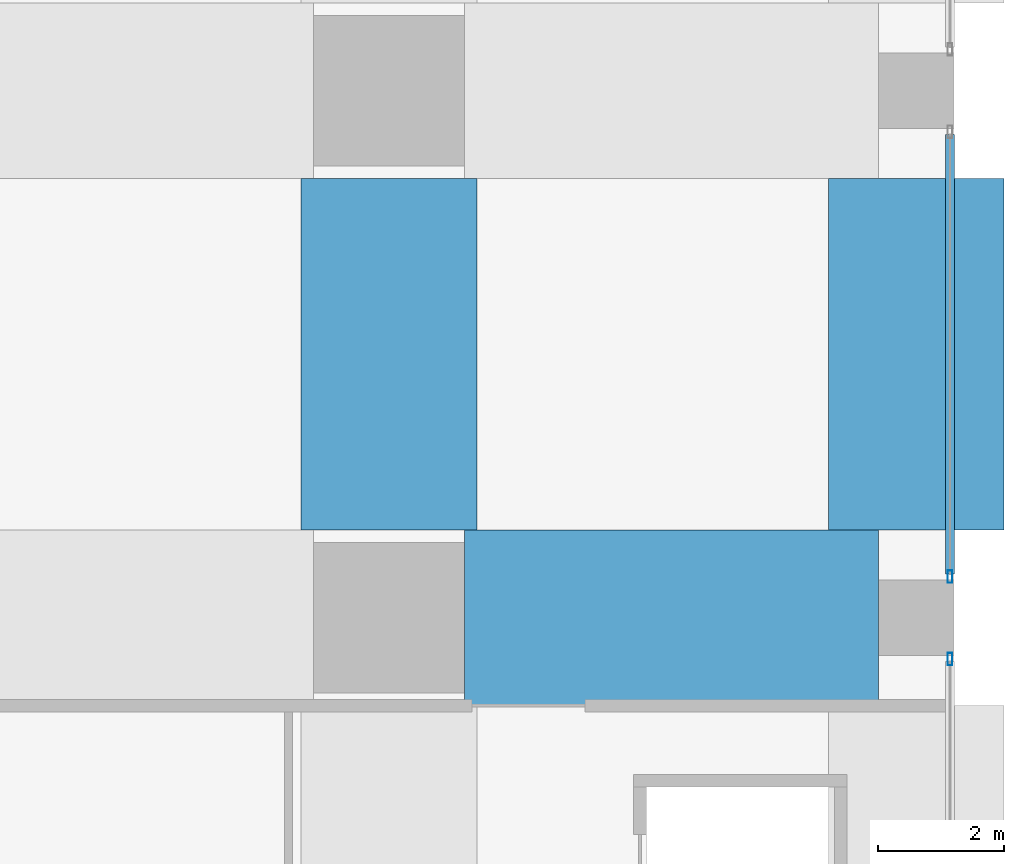
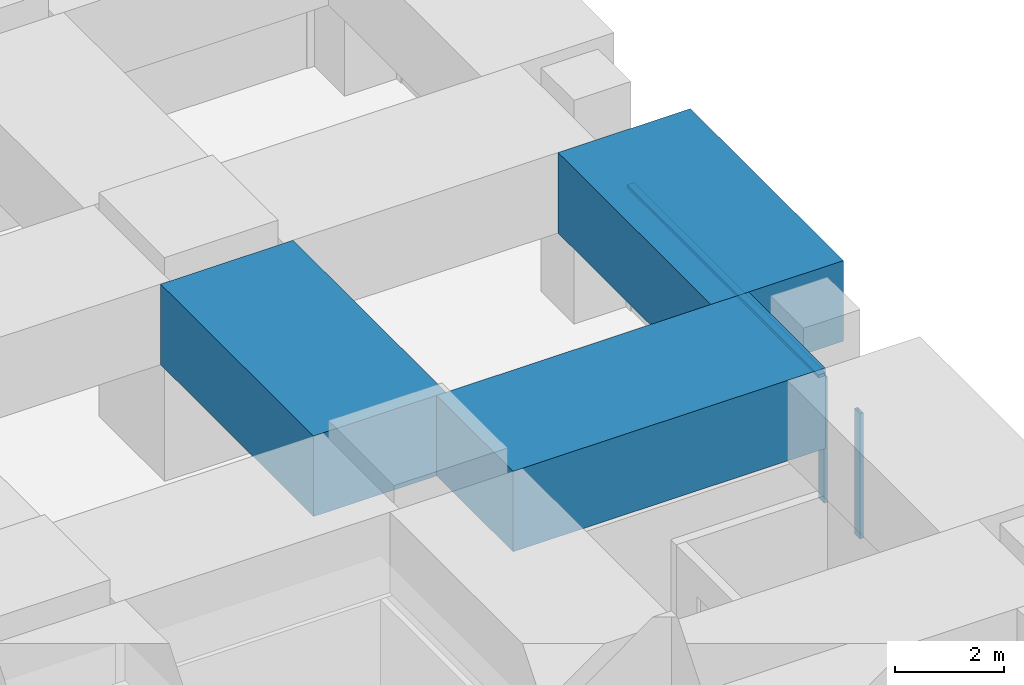
# One storey, part 35 of 52: 3 beams, 3 members, 2 elements without a shape of their own.
"""IFC4 building model written with IfcOpenShell, lengths in metres."""

from ifc_helpers import new_model, si_unit, direction, frame, origin, origin_2d, place, context, subcontext, project, spatial, rectangle, hollow_rectangle, extrude, material, material_profile, profile_set, type_object, element, aggregate, save


model = new_model("IFC4")

# Units and contexts
model_context = context("Model", 3, precision=1e-05, world=origin(), true_north=direction((0.0, 1.0)))
body_context = subcontext(model_context, "Body", "Model", "MODEL_VIEW")
ifc_project = project(units=[si_unit("LENGTHUNIT", "METRE"), si_unit("AREAUNIT", "SQUARE_METRE"), si_unit("VOLUMEUNIT", "CUBIC_METRE"), si_unit("PLANEANGLEUNIT", "RADIAN"), si_unit("MASSUNIT", "GRAM", prefix="KILO")], contexts=[model_context])

# Site, building, storey
site_placement = place(None, origin())
site = spatial("IfcSite", under=ifc_project, at=site_placement, CompositionType="ELEMENT")
building_placement = place(site_placement, origin())
building = spatial("IfcBuilding", under=site, at=building_placement, Name="Rekha Terrace Tower", CompositionType="ELEMENT")
storey_placement = place(building_placement, frame((0.0, 0.0, 20.39990234375)))
storey = spatial("IfcBuildingStorey", under=building, at=storey_placement, Name="L04", CompositionType="ELEMENT", Elevation=20.39990234375)

# Curtain wall, member
ifc_material_1 = material(Name="Aluminium framing", Category="aluminium")
curtain_wall_type = type_object("IfcCurtainWallType", Name="CW4 podium shopfront glazing", PredefinedType="USERDEFINED", material=ifc_material_1)
curtain_wall_1_placement = place(storey_placement, origin())
curtain_wall_1 = element("IfcCurtainWall", 1, at=curtain_wall_1_placement, inside=storey, type_object=curtain_wall_type, Name="CW4 shopfront curtain wall", ObjectType="SHOPFRONT CURTAIN WALL", PredefinedType="USERDEFINED")
ifc_material_2 = material(Name="Aluminium mullion section", Category="aluminium")
ifc_material_profile_1 = material_profile(ifc_material_2, hollow_rectangle(XDim=0.074951171875, YDim=0.199951171875, WallThickness=0.00390625, at=origin_2d()), Name="AL RHS 75x200")
ifc_profile_set_1 = profile_set([ifc_material_profile_1], Name="Aluminium mullion section")
member_type_1 = type_object("IfcMemberType", Name="CW4 mullion RHS 75 x 200", PredefinedType="MULLION", material=ifc_profile_set_1)
member_1_placement = place(storey_placement, frame((76.139892578125, 41.342529296875, 0.0), z_axis=(0.0, 0.0, 1.0), x_axis=(-1.0, 0.0, 0.0)))
member_1 = element("IfcMember", 2, at=member_1_placement, type_object=member_type_1, Name="CW4 mullion 2", PredefinedType="MULLION", context=body_context, shape_type="SweptSolid", body=[
    extrude(hollow_rectangle(XDim=0.074951171875, YDim=0.199951171875, WallThickness=0.00390625, at=origin_2d()), origin(), (0.0, 0.0, 1.0), 2.800048828125),
])
aggregate(curtain_wall_1, [member_1])

# Curtain wall, members
curtain_wall_2_placement = place(storey_placement, origin())
curtain_wall_2 = element("IfcCurtainWall", 3, at=curtain_wall_2_placement, inside=storey, type_object=curtain_wall_type, Name="CW4 shopfront curtain wall", ObjectType="SHOPFRONT CURTAIN WALL", PredefinedType="USERDEFINED")
member_2_placement = place(storey_placement, frame((76.139892578125, 42.657470703125, 0.0), z_axis=(0.0, 0.0, 1.0), x_axis=(-1.0, 0.0, 0.0)))
member_2 = element("IfcMember", 4, at=member_2_placement, type_object=member_type_1, Name="CW4 mullion 1", PredefinedType="MULLION", context=body_context, shape_type="SweptSolid", body=[
    extrude(hollow_rectangle(XDim=0.074951171875, YDim=0.199951171875, WallThickness=0.00390625, at=origin_2d()), origin(), (0.0, 0.0, 1.0), 2.800048828125),
])
ifc_material_3 = material(Name="Aluminium transom section", Category="aluminium")
ifc_material_profile_2 = material_profile(ifc_material_3, hollow_rectangle(XDim=0.14990234375, YDim=0.074951171875, WallThickness=0.0029296875, at=origin_2d()), Name="AL RHS 150x75")
ifc_profile_set_2 = profile_set([ifc_material_profile_2], Name="Aluminium transom section")
member_type_2 = type_object("IfcMemberType", Name="CW4 transom RHS 75 x 150", PredefinedType="USERDEFINED", material=ifc_profile_set_2)
member_3_placement = place(storey_placement, frame((76.139892578125, 42.695068359375, 2.7626953125), z_axis=(0.0, 1.0, 0.0), x_axis=(-1.0, 0.0, 0.0)))
member_3 = element("IfcMember", 5, at=member_3_placement, type_object=member_type_2, Name="CW4 transom 1.2", ObjectType="TRANSOM", PredefinedType="USERDEFINED", context=body_context, shape_type="SweptSolid", body=[
    extrude(hollow_rectangle(XDim=0.14990234375, YDim=0.074951171875, WallThickness=0.0029296875, at=origin_2d()), origin(), (0.0, 0.0, 1.0), 7.010009765625),
])
aggregate(curtain_wall_2, [member_2, member_3])

# Beams
ifc_material_4 = material(Name="Concrete M70", Category="concrete")
ifc_material_profile_3 = material_profile(ifc_material_4, rectangle(XDim=2.800048828125, YDim=1.800048828125, at=origin_2d()), Name="RC 2800x1800")
ifc_profile_set_3 = profile_set([ifc_material_profile_3], Name="Concrete M70")
beam_type = type_object("IfcBeamType", Name="G2 2800x1800 podium roof band beam", PredefinedType="BEAM", material=ifc_profile_set_3)
beam_placement = place(storey_placement, frame((68.39990234375, 42.0, 3.7001953125), z_axis=(1.0, 0.0, 0.0), x_axis=(0.0, 1.0, 0.0)))
element("IfcBeam", 6, at=beam_placement, inside=storey, type_object=beam_type, Name="Beam G2 9F-10F under L05", PredefinedType="BEAM", context=body_context, shape_type="SweptSolid", body=[
    extrude(rectangle(XDim=2.800048828125, YDim=1.800048828125, at=origin_2d()), origin(), (0.0, 0.0, 1.0), 6.60009765625),
])
for number, where, z_axis, x_axis, name in (
    (7, (67.199951171875, 43.39990234375, 3.7001953125), (0.0, 1.0, 0.0), (-1.0, 0.0, 0.0), "Beam G2 9F-9G under L05"),
    (8, (75.60009765625, 43.39990234375, 3.7001953125), (0.0, 1.0, 0.0), (-1.0, 0.0, 0.0), "Beam G2 10F-10G under L05"),
):
    element("IfcBeam", number, at=place(storey_placement, frame(where, z_axis=z_axis, x_axis=x_axis)), inside=storey, type_object=beam_type, Name=name, PredefinedType="BEAM", context=body_context, shape_type="SweptSolid", body=[
        extrude(rectangle(XDim=2.800048828125, YDim=1.800048828125, at=origin_2d()), origin(), (0.0, 0.0, 1.0), 5.60009765625),
    ])

save(model, "model.ifc")
